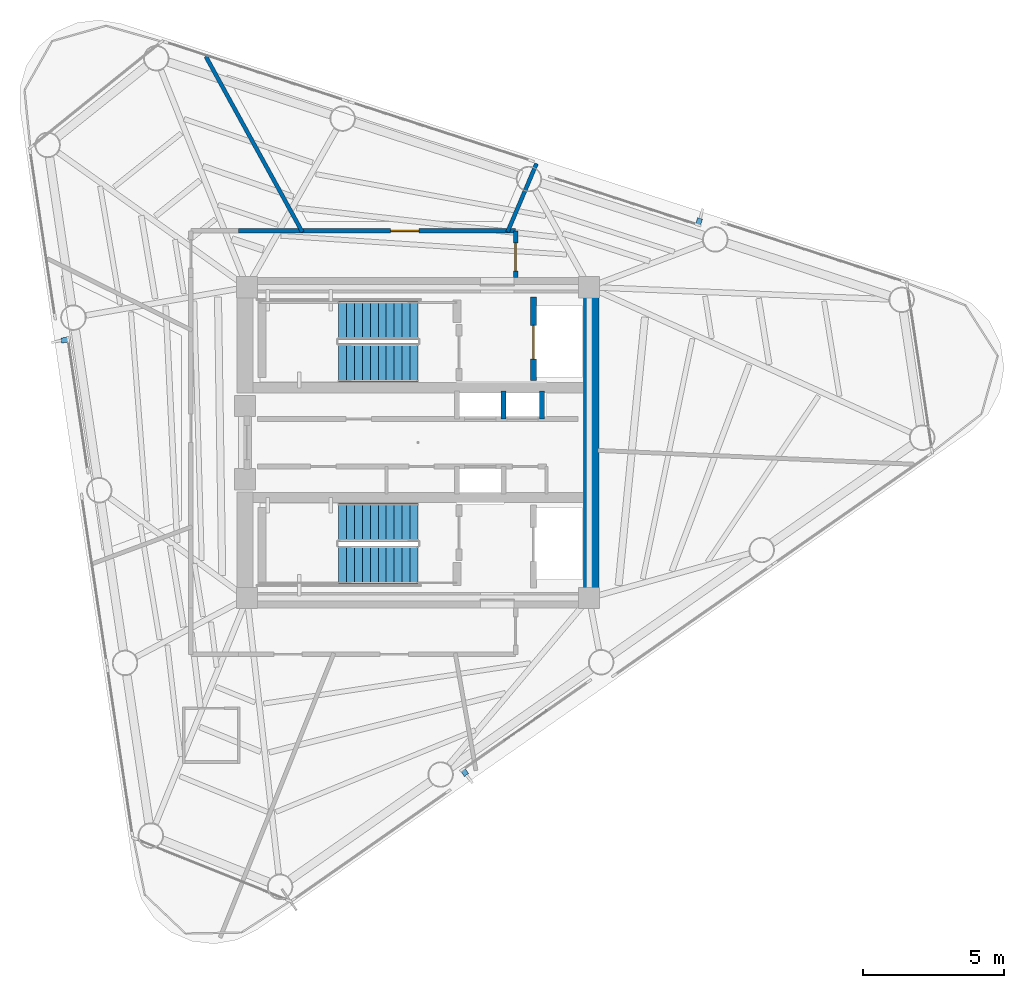
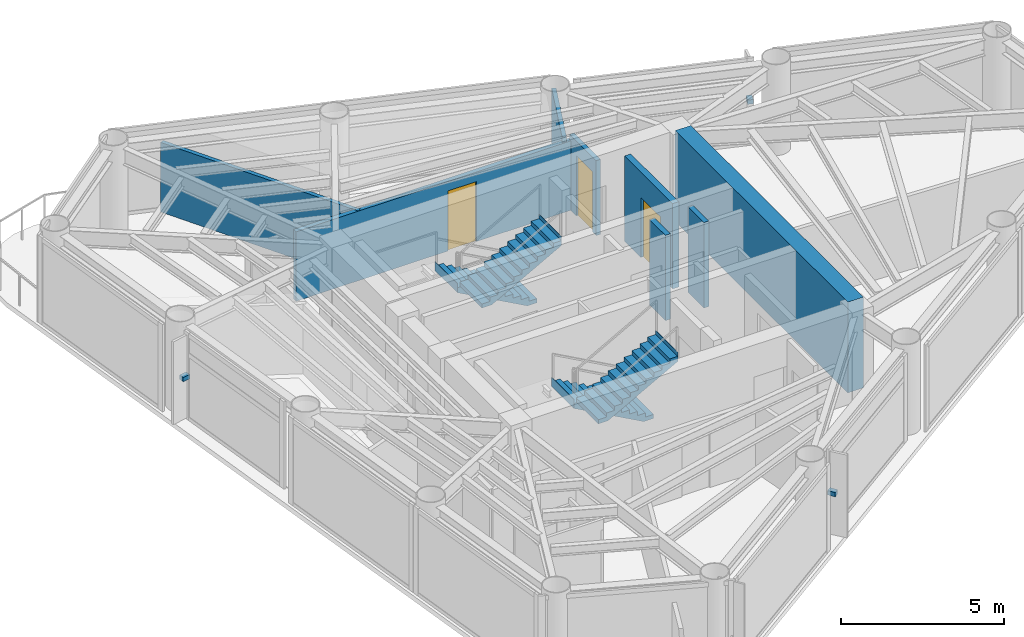
# One storey, part 6 of 9: 8 walls, 4 stair flights, 3 discrete accessories, 3 doors, 3 openings, 2 elements without a shape of their own.
"""IFC4 building model written with IfcOpenShell, lengths in metres."""

from ifc_helpers import new_model, si_unit, direction, frame, frame_2d, origin, origin_2d, place, context, subcontext, project, spatial, polyline, rectangle, outline, extrude, source, transform, mapped, material, layer, layer_set, type_object, element, fill, aggregate, save


model = new_model("IFC4")

# Units and contexts
model_context = context("Model", 3, precision=1e-05, world=origin(), true_north=direction((0.0, 1.0)))
body_context = subcontext(model_context, "Body", "Model", "MODEL_VIEW")
ifc_project = project(units=[si_unit("LENGTHUNIT", "METRE"), si_unit("AREAUNIT", "SQUARE_METRE"), si_unit("VOLUMEUNIT", "CUBIC_METRE"), si_unit("PLANEANGLEUNIT", "RADIAN"), si_unit("MASSUNIT", "GRAM", prefix="KILO")], contexts=[model_context])

# Site, building, storey
site_placement = place(None, origin())
site = spatial("IfcSite", under=ifc_project, at=site_placement, CompositionType="ELEMENT")
building_placement = place(site_placement, origin())
building = spatial("IfcBuilding", under=site, at=building_placement, Name="Yunling Apex Tower", CompositionType="ELEMENT")
storey_placement = place(building_placement, frame((0.0, 0.0, 267.75)))
storey = spatial("IfcBuildingStorey", under=building, at=storey_placement, Name="L65", CompositionType="ELEMENT", Elevation=267.75)

# Wall
ifc_material_1 = material(Name="Concrete C40", Category="concrete")
ifc_layer_1 = layer(ifc_material_1, 0.550048828125)
ifc_layer_set_1 = layer_set([ifc_layer_1], Name="Concrete C40")
wall_type_1 = type_object("IfcWallType", Name="WL-COR-3", PredefinedType="SHEAR", material=ifc_layer_set_1)
wall_1_placement = place(storey_placement, frame((6.125, -5.300048828125, 0.0), z_axis=(0.0, 0.0, 1.0), x_axis=(0.0, 1.0, 0.0)))
element("IfcWall", 1, at=wall_1_placement, inside=storey, type_object=wall_type_1, Name="L65 East Core Shear Wall", PredefinedType="SHEAR", context=body_context, shape_type="SweptSolid", body=[
    extrude(rectangle(XDim=10.60009765625, YDim=0.550048828125, at=frame_2d((5.300048828125, 0.0))), origin(), (0.0, 0.0, 1.0), 3.39990234375),
])

# Wall, opening, door
ifc_material_2 = material(Name="Gypsum board acoustic partition")
ifc_layer_2 = layer(ifc_material_2, 0.159912109375)
ifc_layer_set_2 = layer_set([ifc_layer_2], Name="Gypsum board acoustic partition")
wall_type_2 = type_object("IfcWallType", Name="WL-PRT-1", PredefinedType="PARTITIONING", material=ifc_layer_set_2)
wall_2_placement = place(storey_placement, frame((-6.360107421875, 7.489990234375, 0.0), z_axis=(0.0, 0.0, 1.0), x_axis=(1.0, 0.0, 0.0)))
wall_2 = element("IfcWall", 2, at=wall_2_placement, inside=storey, type_object=wall_type_2, Name="WL-CORR-L65-03", PredefinedType="PARTITIONING", context=body_context, shape_type="SweptSolid", body=[
    extrude(rectangle(XDim=9.81005859375, YDim=0.159912109375, at=frame_2d((4.905029296875, 0.0))), origin(), (0.0, 0.0, 1.0), 2.60498046875),
])
opening_1_placement = place(wall_2_placement, frame((5.38525390625, 0.0, 0.0)))
opening_1 = element("IfcOpeningElement", 3, at=opening_1_placement, cuts=wall_2, Name="Opening DR-OFF-1", PredefinedType="OPENING", context=body_context, shape_type="SweptSolid", body=[
    extrude(rectangle(XDim=1.0, YDim=2.25, at=frame_2d((0.5, 1.125))), frame((0.0, 0.08984375, 0.0), z_axis=(0.0, -1.0, 0.0), x_axis=(1.0, 0.0, 0.0)), (0.0, 0.0, 1.0), 0.179931640625),
])
ifc_material_3 = material(Name="Bronze anodised aluminium", Category="aluminium")
door_type_1 = type_object("IfcDoorType", Name="DR-OFF-1", OperationType="NOTDEFINED", PredefinedType="DOOR", material=ifc_material_3)
door_1_placement = place(opening_1_placement, origin())
door_1 = element("IfcDoor", 4, at=door_1_placement, inside=storey, type_object=door_type_1, Name="L65 Residents Cinema Club Door", OperationType="SINGLE_SWING_LEFT", OverallHeight=2.25, OverallWidth=1.0, PredefinedType="DOOR", context=body_context, shape_type="SweptSolid", body=[
    extrude(rectangle(XDim=1.0, YDim=2.25, at=frame_2d((0.5, 1.125))), frame((0.0, 0.02490234375, 0.0), z_axis=(0.0, -1.0, 0.0), x_axis=(1.0, 0.0, 0.0)), (0.0, 0.0, 1.0), 0.050048828125),
])
fill(opening_1, door_1)

wall_3_placement = place(storey_placement, frame((3.449951171875, 7.489990234375, 0.0), z_axis=(0.0, 0.0, 1.0), x_axis=(0.0, -1.0, 0.0)))
wall_3 = element("IfcWall", 5, at=wall_3_placement, inside=storey, type_object=wall_type_2, Name="WL-CORR-L65-04", PredefinedType="PARTITIONING", context=body_context, shape_type="SweptSolid", body=[
    extrude(rectangle(XDim=1.639892578125, YDim=0.159912109375, at=frame_2d((0.81982421875, 0.0))), origin(), (0.0, 0.0, 1.0), 2.804931640625),
])
opening_2_placement = place(wall_3_placement, frame((0.419921875, 0.0, 0.0)))
opening_2 = element("IfcOpeningElement", 6, at=opening_2_placement, cuts=wall_3, Name="Opening DR-OFF-1", PredefinedType="OPENING", context=body_context, shape_type="SweptSolid", body=[
    extrude(rectangle(XDim=1.0, YDim=2.25, at=frame_2d((0.5, 1.125))), frame((0.0, 0.08984375, 0.0), z_axis=(0.0, -1.0, 0.0), x_axis=(1.0, 0.0, 0.0)), (0.0, 0.0, 1.0), 0.179931640625),
])
door_2_placement = place(opening_2_placement, origin())
door_2 = element("IfcDoor", 7, at=door_2_placement, inside=storey, type_object=door_type_1, Name="L65 Residents Music Salon Door", OperationType="SINGLE_SWING_RIGHT", OverallHeight=2.25, OverallWidth=1.0, PredefinedType="DOOR", context=body_context, shape_type="SweptSolid", body=[
    extrude(rectangle(XDim=1.0, YDim=2.25, at=frame_2d((0.5, 1.125))), frame((0.0, 0.02490234375, 0.0), z_axis=(0.0, -1.0, 0.0), x_axis=(1.0, 0.0, 0.0)), (0.0, 0.0, 1.0), 0.050048828125),
])
fill(opening_2, door_2)

# Walls
ifc_layer_3 = layer(ifc_material_2, 0.139892578125)
ifc_layer_set_3 = layer_set([ifc_layer_3], Name="Gypsum board acoustic partition")
wall_type_3 = type_object("IfcWallType", Name="WL-PRT-2", PredefinedType="PARTITIONING", material=ifc_layer_set_3)
wall_4_placement = place(storey_placement, frame((3.162353515625, 7.449951171875, 0.0), z_axis=(0.0, 0.0, 1.0), x_axis=(0.390769134848, 0.920488719784, 0.0)))
element("IfcWall", 8, at=wall_4_placement, inside=storey, type_object=wall_type_3, Name="WL-RAD-L65-02", PredefinedType="PARTITIONING", context=body_context, shape_type="SweptSolid", body=[
    extrude(rectangle(XDim=2.63037109375, YDim=0.139892578125, at=frame_2d((1.315185546875, 0.0))), origin(), (0.0, 0.0, 1.0), 2.804931640625),
])
wall_5_placement = place(storey_placement, frame((-4.095703125, 7.449951171875, 0.0), z_axis=(0.0, 0.0, 1.0), x_axis=(-0.481753550604, 0.876306747937, 0.0)))
element("IfcWall", 9, at=wall_5_placement, inside=storey, type_object=wall_type_3, Name="WL-RAD-L65-03", PredefinedType="PARTITIONING", context=body_context, shape_type="SweptSolid", body=[
    extrude(rectangle(XDim=7.091796875, YDim=0.139892578125, at=frame_2d((3.5458984375, 0.0))), origin(), (0.0, 0.0, 1.0), 2.60498046875),
])

# Wall, opening, door
ifc_material_4 = material(Name="Autoclaved aerated concrete masonry", Category="masonry")
ifc_layer_4 = layer(ifc_material_4, 0.219970703125)
ifc_layer_set_4 = layer_set([ifc_layer_4], Name="Autoclaved aerated concrete masonry")
wall_type_4 = type_object("IfcWallType", Name="WL-SHF-1", PredefinedType="PLUMBINGWALL", material=ifc_layer_set_4)
wall_6_placement = place(storey_placement, frame((4.080078125, 2.199951171875, 0.0), z_axis=(0.0, 0.0, 1.0), x_axis=(0.0, 1.0, 0.0)))
wall_6 = element("IfcWall", 10, at=wall_6_placement, inside=storey, type_object=wall_type_4, Name="WL-FFL1-W-L65", PredefinedType="PLUMBINGWALL", context=body_context, shape_type="SweptSolid", body=[
    extrude(rectangle(XDim=2.949951171875, YDim=0.219970703125, at=frame_2d((1.47509765625, 0.0))), origin(), (0.0, 0.0, 1.0), 3.199951171875),
])
opening_3_placement = place(wall_6_placement, frame((0.75, 0.0, 0.0)))
opening_3 = element("IfcOpeningElement", 11, at=opening_3_placement, cuts=wall_6, Name="Opening LD-FFL-1", PredefinedType="OPENING", context=body_context, shape_type="SweptSolid", body=[
    extrude(rectangle(XDim=1.199951171875, YDim=2.25, at=frame_2d((0.60009765625, 1.125))), frame((0.0, 0.1201171875, 0.0), z_axis=(0.0, -1.0, 0.0), x_axis=(1.0, 0.0, 0.0)), (0.0, 0.0, 1.0), 0.239990234375),
])
ifc_material_5 = material(Name="Steel Q355B", Category="steel")
door_type_2 = type_object("IfcDoorType", Name="LD-FFL-1", OperationType="DOUBLE_DOOR_SLIDING", PredefinedType="DOOR", material=ifc_material_5)
door_3_placement = place(opening_3_placement, origin())
door_3 = element("IfcDoor", 12, at=door_3_placement, inside=storey, type_object=door_type_2, Name="L65 Lift FFL-1 Landing Door", OperationType="DOUBLE_DOOR_SLIDING", OverallHeight=2.25, OverallWidth=1.199951171875, PredefinedType="DOOR", context=body_context, shape_type="SweptSolid", body=[
    extrude(rectangle(XDim=1.199951171875, YDim=2.25, at=frame_2d((0.60009765625, 1.125))), frame((0.0, 0.02490234375, 0.0), z_axis=(0.0, -1.0, 0.0), x_axis=(1.0, 0.0, 0.0)), (0.0, 0.0, 1.0), 0.050048828125),
])
fill(opening_3, door_3)

# Walls
ifc_layer_5 = layer(ifc_material_4, 0.179931640625)
ifc_layer_set_5 = layer_set([ifc_layer_5], Name="Autoclaved aerated concrete masonry")
wall_type_5 = type_object("IfcWallType", Name="WL-SHF-2", PredefinedType="PLUMBINGWALL", material=ifc_layer_set_5)
for number, where, z_axis, x_axis, name in (
    (13, (3.02001953125, 0.840087890625, 0.0), (0.0, 0.0, 1.0), (0.0, 1.0, 0.0), "WL-DIV-H13-L65"),
    (14, (4.3798828125, 0.840087890625, 0.0), (0.0, 0.0, 1.0), (0.0, 1.0, 0.0), "WL-END-H3E-L65"),
):
    element("IfcWall", number, at=place(storey_placement, frame(where, z_axis=z_axis, x_axis=x_axis)), inside=storey, type_object=wall_type_5, Name=name, PredefinedType="PLUMBINGWALL", context=body_context, shape_type="SweptSolid", body=[
        extrude(rectangle(XDim=0.97998046875, YDim=0.179931640625, at=frame_2d((0.489990234375, 0.0))), origin(), (0.0, 0.0, 1.0), 3.199951171875),
    ])

# Stair, stair flights
stair_type = type_object("IfcStairType", Name="ST-TWR-3", PredefinedType="HALF_TURN_STAIR", material=ifc_material_1)
stair_1_placement = place(storey_placement, origin())
stair_1 = element("IfcStair", 15, at=stair_1_placement, inside=storey, type_object=stair_type, Name="L65 North Core Smokeproof Exit Stair ST-1", PredefinedType="HALF_TURN_STAIR")
stair_flight_type = type_object("IfcStairFlightType", Name="SFL-TWR-3", PredefinedType="STRAIGHT", material=ifc_material_1)
stair_flight_1_placement = place(storey_placement, frame((-0.010009765625, 4.330078125, 0.0), z_axis=(0.0, 0.0, 1.0), x_axis=(-1.0, 0.0, 0.0)))
stair_flight_1 = element("IfcStairFlight", 16, at=stair_flight_1_placement, type_object=stair_flight_type, Name="ST-1 flight 1", NumberOfRisers=11, NumberOfTreads=10, PredefinedType="STRAIGHT", RiserHeight=0.154545455, TreadLength=0.28, context=body_context, shape_type="SweptSolid", body=[
    extrude(outline(polyline([(-0.011962890625, 0.0), (-0.011962890625, 0.154541015625), (0.0, 0.154541015625), (0.280029296875, 0.154541015625), (0.280029296875, 0.30908203125), (0.56005859375, 0.30908203125), (0.56005859375, 0.463623046875), (0.840087890625, 0.463623046875), (0.840087890625, 0.6181640625), (1.1201171875, 0.6181640625), (1.1201171875, 0.772705078125), (1.39990234375, 0.772705078125), (1.39990234375, 0.92724609375), (1.679931640625, 0.92724609375), (1.679931640625, 1.081787109375), (1.9599609375, 1.081787109375), (1.9599609375, 1.236328125), (2.239990234375, 1.236328125), (2.239990234375, 1.390869140625), (2.52001953125, 1.390869140625), (2.52001953125, 1.54541015625), (2.800048828125, 1.54541015625), (2.800048828125, 1.699951171875), (2.81201171875, 1.699951171875), (2.81201171875, 1.36279296875), (0.330810546875, 0.0), (-0.011962890625, 0.0)])), frame((0.0, 0.68017578125, 0.0), z_axis=(0.0, -1.0, 0.0), x_axis=(1.0, 0.0, 0.0)), (0.0, 0.0, 1.0), 1.360107421875),
])
stair_flight_2_placement = place(storey_placement, frame((-2.81005859375, 2.820068359375, 1.699951171875), z_axis=(0.0, 0.0, 1.0), x_axis=(1.0, 0.0, 0.0)))
stair_flight_2 = element("IfcStairFlight", 17, at=stair_flight_2_placement, type_object=stair_flight_type, Name="ST-1 flight 2", NumberOfRisers=11, NumberOfTreads=10, PredefinedType="STRAIGHT", RiserHeight=0.154545455, TreadLength=0.28, context=body_context, shape_type="SweptSolid", body=[
    extrude(outline(polyline([(-0.011962890625, 0.0), (-0.011962890625, 0.154541015625), (0.0, 0.154541015625), (0.280029296875, 0.154541015625), (0.280029296875, 0.30908203125), (0.56005859375, 0.30908203125), (0.56005859375, 0.463623046875), (0.840087890625, 0.463623046875), (0.840087890625, 0.6181640625), (1.1201171875, 0.6181640625), (1.1201171875, 0.772705078125), (1.39990234375, 0.772705078125), (1.39990234375, 0.92724609375), (1.679931640625, 0.92724609375), (1.679931640625, 1.081787109375), (1.9599609375, 1.081787109375), (1.9599609375, 1.236328125), (2.239990234375, 1.236328125), (2.239990234375, 1.390869140625), (2.52001953125, 1.390869140625), (2.52001953125, 1.54541015625), (2.800048828125, 1.54541015625), (2.800048828125, 1.699951171875), (2.81201171875, 1.699951171875), (2.81201171875, 1.36279296875), (0.330810546875, 0.0), (-0.011962890625, 0.0)])), frame((0.0, 0.68017578125, 0.0), z_axis=(0.0, -1.0, 0.0), x_axis=(1.0, 0.0, 0.0)), (0.0, 0.0, 1.0), 1.360107421875),
])
aggregate(stair_1, [stair_flight_1, stair_flight_2])

stair_2_placement = place(storey_placement, origin())
stair_2 = element("IfcStair", 18, at=stair_2_placement, inside=storey, type_object=stair_type, Name="L65 South Core Smokeproof Exit Stair ST-2", PredefinedType="HALF_TURN_STAIR")
stair_flight_3_placement = place(storey_placement, frame((-0.010009765625, -2.820068359375, 0.0), z_axis=(0.0, 0.0, 1.0), x_axis=(-1.0, 0.0, 0.0)))
stair_flight_3 = element("IfcStairFlight", 19, at=stair_flight_3_placement, type_object=stair_flight_type, Name="ST-2 flight 1", NumberOfRisers=11, NumberOfTreads=10, PredefinedType="STRAIGHT", RiserHeight=0.154545455, TreadLength=0.28, context=body_context, shape_type="SweptSolid", body=[
    extrude(outline(polyline([(-0.011962890625, 0.0), (-0.011962890625, 0.154541015625), (0.0, 0.154541015625), (0.280029296875, 0.154541015625), (0.280029296875, 0.30908203125), (0.56005859375, 0.30908203125), (0.56005859375, 0.463623046875), (0.840087890625, 0.463623046875), (0.840087890625, 0.6181640625), (1.1201171875, 0.6181640625), (1.1201171875, 0.772705078125), (1.39990234375, 0.772705078125), (1.39990234375, 0.92724609375), (1.679931640625, 0.92724609375), (1.679931640625, 1.081787109375), (1.9599609375, 1.081787109375), (1.9599609375, 1.236328125), (2.239990234375, 1.236328125), (2.239990234375, 1.390869140625), (2.52001953125, 1.390869140625), (2.52001953125, 1.54541015625), (2.800048828125, 1.54541015625), (2.800048828125, 1.699951171875), (2.81201171875, 1.699951171875), (2.81201171875, 1.36279296875), (0.330810546875, 0.0), (-0.011962890625, 0.0)])), frame((0.0, 0.68017578125, 0.0), z_axis=(0.0, -1.0, 0.0), x_axis=(1.0, 0.0, 0.0)), (0.0, 0.0, 1.0), 1.360107421875),
])
stair_flight_4_placement = place(storey_placement, frame((-2.81005859375, -4.330078125, 1.699951171875), z_axis=(0.0, 0.0, 1.0), x_axis=(1.0, 0.0, 0.0)))
stair_flight_4 = element("IfcStairFlight", 20, at=stair_flight_4_placement, type_object=stair_flight_type, Name="ST-2 flight 2", NumberOfRisers=11, NumberOfTreads=10, PredefinedType="STRAIGHT", RiserHeight=0.154545455, TreadLength=0.28, context=body_context, shape_type="SweptSolid", body=[
    extrude(outline(polyline([(-0.011962890625, 0.0), (-0.011962890625, 0.154541015625), (0.0, 0.154541015625), (0.280029296875, 0.154541015625), (0.280029296875, 0.30908203125), (0.56005859375, 0.30908203125), (0.56005859375, 0.463623046875), (0.840087890625, 0.463623046875), (0.840087890625, 0.6181640625), (1.1201171875, 0.6181640625), (1.1201171875, 0.772705078125), (1.39990234375, 0.772705078125), (1.39990234375, 0.92724609375), (1.679931640625, 0.92724609375), (1.679931640625, 1.081787109375), (1.9599609375, 1.081787109375), (1.9599609375, 1.236328125), (2.239990234375, 1.236328125), (2.239990234375, 1.390869140625), (2.52001953125, 1.390869140625), (2.52001953125, 1.54541015625), (2.800048828125, 1.54541015625), (2.800048828125, 1.699951171875), (2.81201171875, 1.699951171875), (2.81201171875, 1.36279296875), (0.330810546875, 0.0), (-0.011962890625, 0.0)])), frame((0.0, 0.68017578125, 0.0), z_axis=(0.0, -1.0, 0.0), x_axis=(1.0, 0.0, 0.0)), (0.0, 0.0, 1.0), 1.360107421875),
])
aggregate(stair_2, [stair_flight_3, stair_flight_4])

# Discrete accessories
discrete_accessory_type = type_object("IfcDiscreteAccessoryType", Name="BK-FIN-1", PredefinedType="BRACKET", material=ifc_material_5)
shared_shape = source(origin(), body_context, "Body", "SweptSolid", [
    extrude(rectangle(XDim=0.179931640625, YDim=0.260009765625, at=origin_2d()), origin(), (0.0, 0.0, 1.0), 0.159912109375),
])
for number, where, z_axis, x_axis, name in (
    (21, (1.638427734375, -11.656982421875, 1.5302734375), (0.0, 0.0, 1.0), (0.819552276527, 0.573004420611, 0.0), "CW-L65-F1-B2-BRK-01-1"),
    (22, (9.938720703125, 7.80810546875, 1.5302734375), (0.0, 0.0, 1.0), (-0.951272019071, 0.30835295642, 0.0), "CW-L65-F2-B2-BRK-01-1"),
    (23, (-12.492919921875, 3.630615234375, 1.5302734375), (0.0, 0.0, 1.0), (0.14780941113, -0.989015863362, 0.0), "CW-L65-F3-B2-BRK-01-1"),
):
    element("IfcDiscreteAccessory", number, at=place(storey_placement, frame(where, z_axis=z_axis, x_axis=x_axis)), inside=storey, type_object=discrete_accessory_type, Name=name, PredefinedType="BRACKET", context=body_context, shape_type="MappedRepresentation", body=[
        mapped(shared_shape, transform((0.0, 0.0, 0.0), scale=1.0)),
    ])

save(model, "model.ifc")
